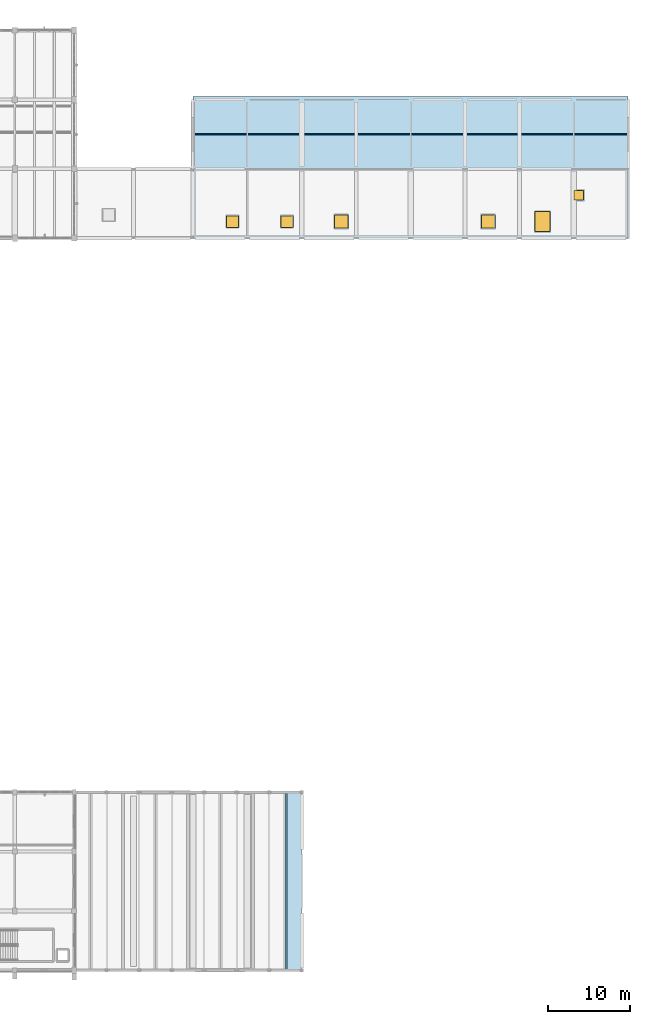
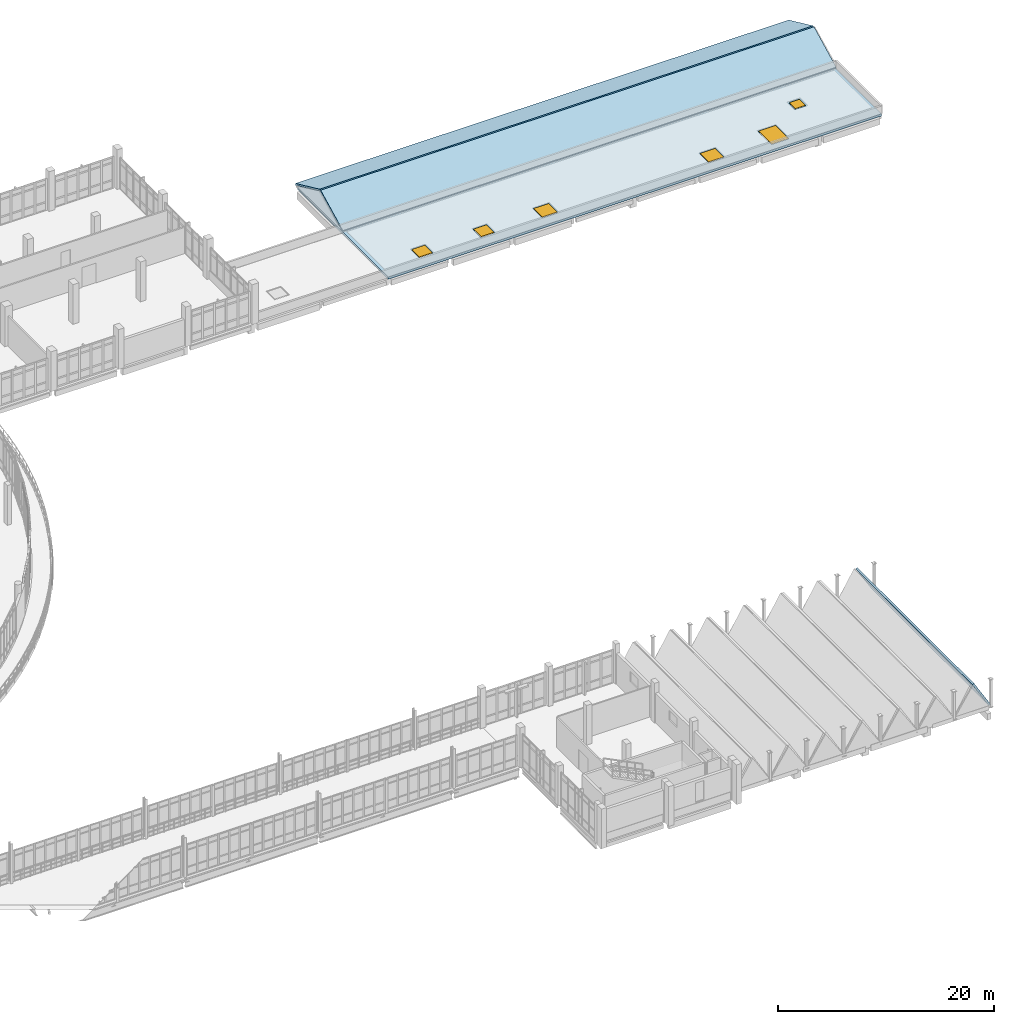
# One storey, part 104 of 124: 5 windows, 4 slabs, 1 door, 6 openings.
"""IFC4 building model written with IfcOpenShell, lengths in metres."""

from ifc_helpers import new_model, si_unit, direction, frame, origin, origin_2d, place, context, subcontext, project, spatial, polyline, rectangle, outline, extrude, material, layer, layer_set, type_object, element, fill, save


model = new_model("IFC4")

# Units and contexts
model_context = context("Model", 3, precision=1e-05, world=origin(), true_north=direction((0.0, 1.0)))
body_context = subcontext(model_context, "Body", "Model", "MODEL_VIEW")
ifc_project = project(units=[si_unit("LENGTHUNIT", "METRE"), si_unit("AREAUNIT", "SQUARE_METRE"), si_unit("VOLUMEUNIT", "CUBIC_METRE"), si_unit("PLANEANGLEUNIT", "RADIAN"), si_unit("MASSUNIT", "GRAM", prefix="KILO")], contexts=[model_context])

# Site, building, storey
site_placement = place(None, origin())
site = spatial("IfcSite", under=ifc_project, at=site_placement, CompositionType="ELEMENT")
building_placement = place(site_placement, origin())
building = spatial("IfcBuilding", under=site, at=building_placement, Name="Kalluvel Institute of Natural Sciences", CompositionType="ELEMENT")
storey_placement = place(building_placement, frame((0.0, 0.0, 9.89990234375)))
storey = spatial("IfcBuildingStorey", under=building, at=storey_placement, Name="L02", CompositionType="ELEMENT", Elevation=9.89990234375)

# Slabs
ifc_material_1 = material(Name="Sadarahalli Granite Precast Concrete M45", Category="masonry")
ifc_layer_1 = layer(ifc_material_1, 0.179931640625)
ifc_layer_set_1 = layer_set([ifc_layer_1], Name="Sadarahalli Granite Precast Concrete M45")
slab_type_1 = type_object("IfcSlabType", Name="SLB-FOLD-180", PredefinedType="ROOF", material=ifc_layer_set_1)
slab_1_placement = place(storey_placement, frame((129.199951171875, 111.199951171875, 0.16552734375), z_axis=(0.0, -0.452633997457, 0.891696396957), x_axis=(1.0, 0.0, 0.0)))
element("IfcSlab", 1, at=slab_1_placement, inside=storey, type_object=slab_type_1, Name="Cleanroom Pavilion Pitched Technical Roof South Slope", PredefinedType="ROOF", context=body_context, shape_type="SweptSolid", body=[
    extrude(outline(polyline([(0.0, 0.0), (52.800048828125, 0.0), (52.800048828125, 4.6052056804454615), (0.0, 4.6052056804454615), (0.0, 0.0)])), origin(), (0.0, 0.0, -1.0), 0.179931640625),
])
slab_2_placement = place(storey_placement, frame((129.199951171875, 115.4873046875, 2.25), z_axis=(0.0, 0.418852554334, 0.908054259242), x_axis=(1.0, 0.0, 0.0)))
element("IfcSlab", 2, at=slab_2_placement, inside=storey, type_object=slab_type_1, Name="Cleanroom Pavilion Pitched Technical Roof North Slope", PredefinedType="ROOF", context=body_context, shape_type="SweptSolid", body=[
    extrude(outline(polyline([(0.0, 0.0), (52.800048828125, 0.0), (52.800048828125, 4.969631788594809), (0.0, 4.969631788594809), (0.0, 0.0)])), origin(), (0.0, 0.0, -1.0), 0.179931640625),
])
ifc_layer_2 = layer(ifc_material_1, 0.199951171875)
ifc_layer_set_2 = layer_set([ifc_layer_2], Name="Sadarahalli Granite Precast Concrete M45")
slab_type_2 = type_object("IfcSlabType", Name="SLB-FOLD-200", PredefinedType="ROOF", material=ifc_layer_set_2)
slab_3_placement = place(storey_placement, frame((140.6123046875, 14.0, 3.900146484375), z_axis=(0.859055759026, 0.0, 0.511882020474), x_axis=(0.511882020474, 0.0, -0.859055759026)))
element("IfcSlab", 3, at=slab_3_placement, inside=storey, type_object=slab_type_2, Name="Lecture Theatre Folded-Plate Roof Facet 14", PredefinedType="ROOF", context=body_context, shape_type="SweptSolid", body=[
    extrude(outline(polyline([(0.0, 0.0), (3.4922063771533454, 0.0), (3.4922063771533454, 21.60009765625), (0.0, 21.60009765625), (0.0, 0.0)])), origin(), (0.0, 0.0, -1.0), 0.199951171875),
])

# Slab, openings, door, windows
ifc_material_2 = material(Name="Concrete M40", Category="concrete")
ifc_layer_3 = layer(ifc_material_2, 0.260009765625)
ifc_layer_set_3 = layer_set([ifc_layer_3], Name="Concrete M40")
slab_type_3 = type_object("IfcSlabType", Name="SLB-ROOF-260", PredefinedType="ROOF", material=ifc_layer_set_3)
slab_4_placement = place(storey_placement, frame((0.0, 0.0, -0.260009765625)))
slab_4 = element("IfcSlab", 4, at=slab_4_placement, inside=storey, type_object=slab_type_3, Name="Cleanroom Pavilion Roof Slab", PredefinedType="ROOF", context=body_context, shape_type="SweptSolid", body=[
    extrude(outline(polyline([(129.199951171875, 102.800048828125), (182.0, 102.800048828125), (182.0, 119.60009765625), (129.199951171875, 119.60009765625), (129.199951171875, 102.800048828125)])), origin(), (0.0, 0.0, 1.0), 0.260009765625),
])
opening_1_placement = place(slab_4_placement, frame((134.0, 104.800048828125, 0.0)))
opening_1 = element("IfcOpeningElement", 5, at=opening_1_placement, cuts=slab_4, Name="Opening SK-01", PredefinedType="OPENING", context=body_context, shape_type="SweptSolid", body=[
    extrude(rectangle(XDim=1.43994140625, YDim=1.43994140625, at=origin_2d()), frame((0.0, 0.0, -0.050048828125)), (0.0, 0.0, 1.0), 0.41015625),
])
opening_2_placement = place(slab_4_placement, frame((140.60009765625, 104.800048828125, 0.0)))
opening_2 = element("IfcOpeningElement", 6, at=opening_2_placement, cuts=slab_4, Name="Opening SK-01", PredefinedType="OPENING", context=body_context, shape_type="SweptSolid", body=[
    extrude(rectangle(XDim=1.43994140625, YDim=1.43994140625, at=origin_2d()), frame((0.0, 0.0, -0.050048828125)), (0.0, 0.0, 1.0), 0.41015625),
])
opening_3_placement = place(slab_4_placement, frame((147.199951171875, 104.800048828125, 0.0)))
opening_3 = element("IfcOpeningElement", 7, at=opening_3_placement, cuts=slab_4, Name="Opening SK-02", PredefinedType="OPENING", context=body_context, shape_type="SweptSolid", body=[
    extrude(rectangle(XDim=1.64013671875, YDim=1.64013671875, at=origin_2d()), frame((0.0, 0.0, -0.050048828125)), (0.0, 0.0, 1.0), 0.41015625),
])
opening_4_placement = place(slab_4_placement, frame((165.0, 104.800048828125, 0.0)))
opening_4 = element("IfcOpeningElement", 8, at=opening_4_placement, cuts=slab_4, Name="Opening SK-02", PredefinedType="OPENING", context=body_context, shape_type="SweptSolid", body=[
    extrude(rectangle(XDim=1.64013671875, YDim=1.64013671875, at=origin_2d()), frame((0.0, 0.0, -0.050048828125)), (0.0, 0.0, 1.0), 0.41015625),
])
opening_5_placement = place(slab_4_placement, frame((171.60009765625, 104.800048828125, 0.0)))
opening_5 = element("IfcOpeningElement", 9, at=opening_5_placement, cuts=slab_4, Name="Opening SK-03", PredefinedType="OPENING", context=body_context, shape_type="SweptSolid", body=[
    extrude(rectangle(XDim=1.840087890625, YDim=2.43994140625, at=origin_2d()), frame((0.0, 0.0, -0.050048828125)), (0.0, 0.0, 1.0), 0.41015625),
])
opening_6_placement = place(slab_4_placement, frame((176.0, 108.0, 0.0)))
opening_6 = element("IfcOpeningElement", 10, at=opening_6_placement, cuts=slab_4, Name="Opening RH-05", PredefinedType="OPENING", context=body_context, shape_type="SweptSolid", body=[
    extrude(rectangle(XDim=1.14013671875, YDim=1.14013671875, at=origin_2d()), frame((0.0, 0.0, -0.050048828125)), (0.0, 0.0, 1.0), 0.41015625),
])
ifc_material_3 = material(Name="Steel E350 Grade 350", Category="steel")
door_type = type_object("IfcDoorType", Name="DR-HATCH-1100", OperationType="NOTDEFINED", PredefinedType="TRAPDOOR", material=ifc_material_3)
door_placement = place(opening_6_placement, frame((0.0, 0.0, 0.260009765625)))
door = element("IfcDoor", 11, at=door_placement, inside=storey, type_object=door_type, Name="L02 maintenance roof access hatch RH-05", OperationType="SINGLE_SWING_LEFT", OverallHeight=1.10009765625, OverallWidth=1.10009765625, PredefinedType="TRAPDOOR", context=body_context, shape_type="SweptSolid", body=[
    extrude(rectangle(XDim=1.10009765625, YDim=1.10009765625, at=origin_2d()), origin(), (0.0, 0.0, 1.0), 0.050048828125),
])
fill(opening_6, door)
ifc_material_4 = material(Name="Solar-Control Low-E Laminated Glass", Category="glass")
window_type_1 = type_object("IfcWindowType", Name="SK-ROOF-140x140", PartitioningType="SINGLE_PANEL", PredefinedType="SKYLIGHT", material=ifc_material_4)
window_1_placement = place(opening_1_placement, frame((0.0, 0.0, 0.260009765625)))
window_1 = element("IfcWindow", 12, at=window_1_placement, inside=storey, type_object=window_type_1, Name="L02 insulated roof skylight SK-01", OverallHeight=1.39990234375, OverallWidth=1.39990234375, PartitioningType="SINGLE_PANEL", PredefinedType="SKYLIGHT", context=body_context, shape_type="SweptSolid", body=[
    extrude(rectangle(XDim=1.39990234375, YDim=1.39990234375, at=origin_2d()), origin(), (0.0, 0.0, 1.0), 0.050048828125),
])
fill(opening_1, window_1)
window_2_placement = place(opening_2_placement, frame((0.0, 0.0, 0.260009765625)))
window_2 = element("IfcWindow", 13, at=window_2_placement, inside=storey, type_object=window_type_1, Name="L02 insulated roof skylight SK-02", OverallHeight=1.39990234375, OverallWidth=1.39990234375, PartitioningType="SINGLE_PANEL", PredefinedType="SKYLIGHT", context=body_context, shape_type="SweptSolid", body=[
    extrude(rectangle(XDim=1.39990234375, YDim=1.39990234375, at=origin_2d()), origin(), (0.0, 0.0, 1.0), 0.050048828125),
])
fill(opening_2, window_2)
window_type_2 = type_object("IfcWindowType", Name="SK-ROOF-160x160", PartitioningType="SINGLE_PANEL", PredefinedType="SKYLIGHT", material=ifc_material_4)
window_3_placement = place(opening_3_placement, frame((0.0, 0.0, 0.260009765625)))
window_3 = element("IfcWindow", 14, at=window_3_placement, inside=storey, type_object=window_type_2, Name="L02 insulated roof skylight SK-03", OverallHeight=1.60009765625, OverallWidth=1.60009765625, PartitioningType="SINGLE_PANEL", PredefinedType="SKYLIGHT", context=body_context, shape_type="SweptSolid", body=[
    extrude(rectangle(XDim=1.60009765625, YDim=1.60009765625, at=origin_2d()), origin(), (0.0, 0.0, 1.0), 0.050048828125),
])
fill(opening_3, window_3)
window_4_placement = place(opening_4_placement, frame((0.0, 0.0, 0.260009765625)))
window_4 = element("IfcWindow", 15, at=window_4_placement, inside=storey, type_object=window_type_2, Name="L02 insulated roof skylight SK-04", OverallHeight=1.60009765625, OverallWidth=1.60009765625, PartitioningType="SINGLE_PANEL", PredefinedType="SKYLIGHT", context=body_context, shape_type="SweptSolid", body=[
    extrude(rectangle(XDim=1.60009765625, YDim=1.60009765625, at=origin_2d()), origin(), (0.0, 0.0, 1.0), 0.050048828125),
])
fill(opening_4, window_4)
window_type_3 = type_object("IfcWindowType", Name="SK-ROOF-180x240", PartitioningType="SINGLE_PANEL", PredefinedType="SKYLIGHT", material=ifc_material_4)
window_5_placement = place(opening_5_placement, frame((0.0, 0.0, 0.260009765625)))
window_5 = element("IfcWindow", 16, at=window_5_placement, inside=storey, type_object=window_type_3, Name="L02 insulated roof skylight SK-05", OverallHeight=2.39990234375, OverallWidth=1.800048828125, PartitioningType="SINGLE_PANEL", PredefinedType="SKYLIGHT", context=body_context, shape_type="SweptSolid", body=[
    extrude(rectangle(XDim=1.800048828125, YDim=2.39990234375, at=origin_2d()), origin(), (0.0, 0.0, 1.0), 0.050048828125),
])
fill(opening_5, window_5)

save(model, "model.ifc")
